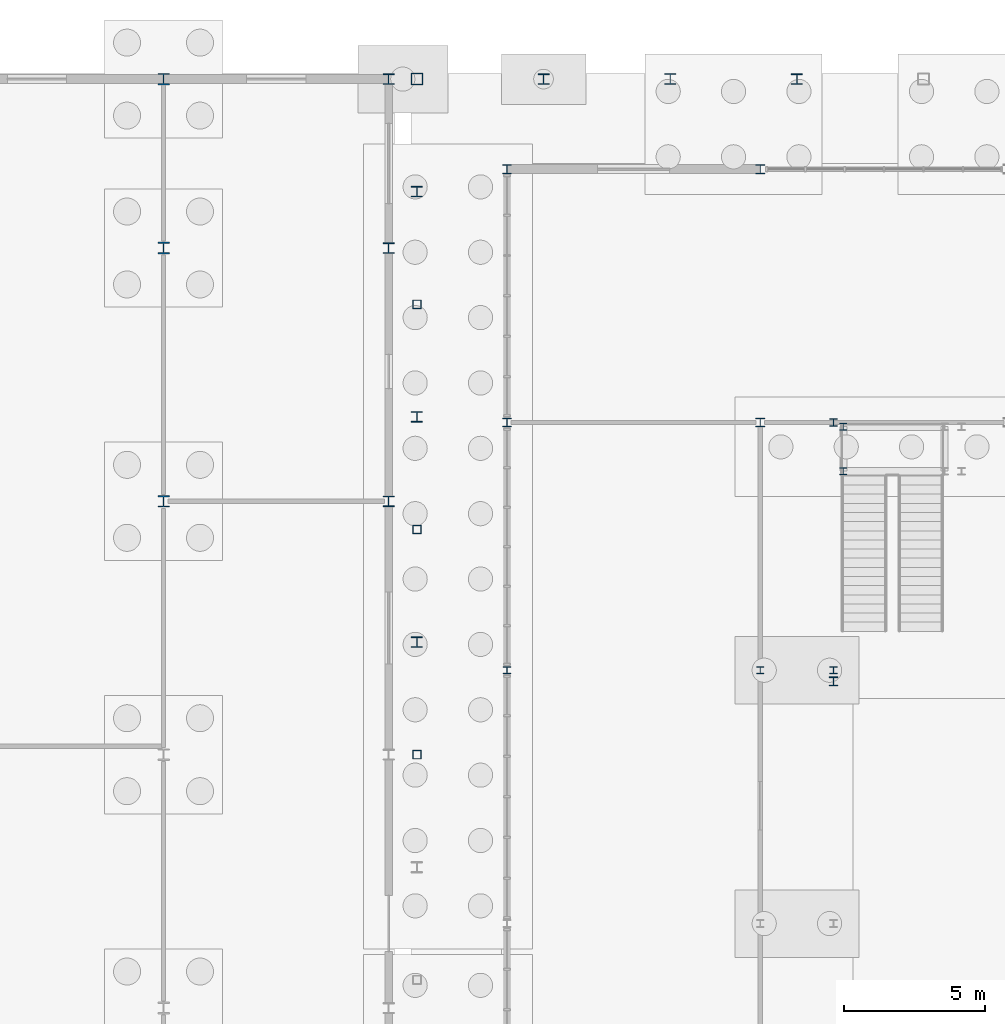
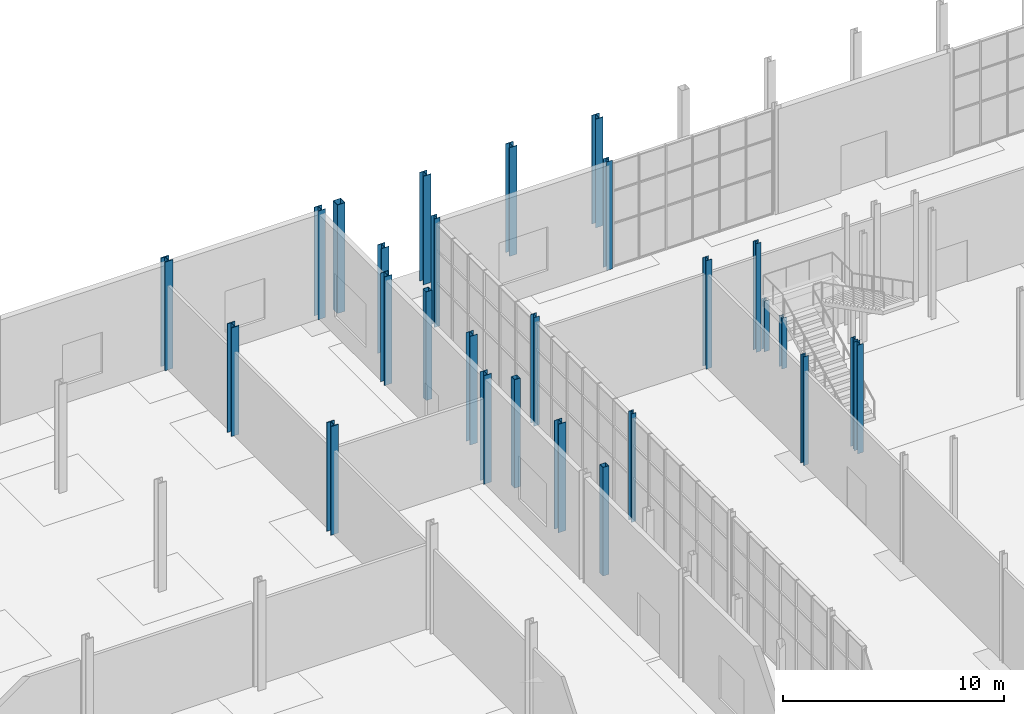
# One storey, part 20 of 131: 27 columns.
"""IFC4 building model written with IfcOpenShell, lengths in metres."""

from ifc_helpers import new_model, si_unit, direction, frame, origin, origin_2d, place, context, subcontext, project, spatial, hollow_rectangle, i_section, extrude, material, material_profile, profile_set, type_object, element, save


model = new_model("IFC4")

# Units and contexts
model_context = context("Model", 3, precision=1e-05, world=origin(), true_north=direction((0.0, 1.0)))
body_context = subcontext(model_context, "Body", "Model", "MODEL_VIEW")
ifc_project = project(units=[si_unit("LENGTHUNIT", "METRE"), si_unit("AREAUNIT", "SQUARE_METRE"), si_unit("VOLUMEUNIT", "CUBIC_METRE"), si_unit("PLANEANGLEUNIT", "RADIAN"), si_unit("MASSUNIT", "GRAM", prefix="KILO")], contexts=[model_context])

# Site, building, storey
site_placement = place(None, origin())
site = spatial("IfcSite", under=ifc_project, at=site_placement, CompositionType="ELEMENT")
building_placement = place(site_placement, origin())
building = spatial("IfcBuilding", under=site, at=building_placement, Name="Cazmaro Siding Exhibition Halls", CompositionType="ELEMENT")
storey_placement = place(building_placement, origin())
storey = spatial("IfcBuildingStorey", under=building, at=storey_placement, Name="L00", CompositionType="ELEMENT", Elevation=0.0)

# Columns
ifc_material_1 = material(Name="Steel ASTM A992 Grade 50", Category="steel")
ifc_material_profile_1 = material_profile(ifc_material_1, i_section(OverallWidth=0.406005859375, OverallDepth=0.416015625, WebThickness=0.030029296875, FlangeThickness=0.048095703125, at=origin_2d()), Name="W14X257")
ifc_profile_set_1 = profile_set([ifc_material_profile_1], Name="Steel ASTM A992 Grade 50")
column_type_1 = type_object("IfcColumnType", Name="C-01", PredefinedType="COLUMN", material=ifc_profile_set_1)
for number, where, z_axis, x_axis, name in (
    (1, (36.0, 109.0, 0.0), (0.0, 0.0, 1.0), (1.0, 0.0, 0.0), "Column C-01 COL-1065"),
    (2, (36.0, 118.0, 0.0), (0.0, 0.0, 1.0), (1.0, 0.0, 0.0), "Column C-01 COL-1069"),
    (3, (36.0, 124.0, 0.0), (0.0, 0.0, 1.0), (1.0, 0.0, 0.0), "Column C-01 COL-1072"),
):
    element("IfcColumn", number, at=place(storey_placement, frame(where, z_axis=z_axis, x_axis=x_axis)), inside=storey, type_object=column_type_1, Name=name, PredefinedType="COLUMN", context=body_context, shape_type="SweptSolid", body=[
        extrude(i_section(OverallWidth=0.406005859375, OverallDepth=0.416015625, WebThickness=0.030029296875, FlangeThickness=0.048095703125, at=origin_2d()), origin(), (0.0, 0.0, 1.0), 6.0),
    ])
ifc_material_2 = material(Name="Steel ASTM A992 Grade 50", Category="steel")
ifc_material_profile_2 = material_profile(ifc_material_2, i_section(OverallWidth=0.39208984375, OverallDepth=0.3759765625, WebThickness=0.01708984375, FlangeThickness=0.028076171875, at=origin_2d()), Name="W14X145")
ifc_profile_set_2 = profile_set([ifc_material_profile_2], Name="Steel ASTM A992 Grade 50")
column_type_2 = type_object("IfcColumnType", Name="C-03", PredefinedType="COLUMN", material=ifc_profile_set_2)
for number, where, z_axis, x_axis, name in (
    (4, (49.5, 124.0, 0.0), (0.0, 0.0, 1.0), (1.0, 0.0, 0.0), "Column C-03 COL-0010"),
    (5, (58.5, 124.0, 0.0), (0.0, 0.0, 1.0), (1.0, 0.0, 0.0), "Column C-03 COL-0022"),
    (6, (45.0, 104.0, 0.0), (0.0, 0.0, 1.0), (1.0, 0.0, 0.0), "Column C-03 COL-0202"),
    (7, (45.0, 112.0, 0.0), (0.0, 0.0, 1.0), (1.0, 0.0, 0.0), "Column C-03 COL-0208"),
    (8, (45.0, 120.0, 0.0), (0.0, 0.0, 1.0), (1.0, 0.0, 0.0), "Column C-03 COL-0214"),
    (9, (44.0, 109.0, 0.0), (0.0, 0.0, 1.0), (1.0, 0.0, 0.0), "Column C-03 COL-1087"),
    (10, (44.0, 118.0, 0.0), (0.0, 0.0, 1.0), (1.0, 0.0, 0.0), "Column C-03 COL-1089"),
    (11, (44.0, 124.0, 0.0), (0.0, 0.0, 1.0), (1.0, 0.0, 0.0), "Column C-03 COL-1091"),
):
    element("IfcColumn", number, at=place(storey_placement, frame(where, z_axis=z_axis, x_axis=x_axis)), inside=storey, type_object=column_type_2, Name=name, PredefinedType="COLUMN", context=body_context, shape_type="SweptSolid", body=[
        extrude(i_section(OverallWidth=0.39208984375, OverallDepth=0.3759765625, WebThickness=0.01708984375, FlangeThickness=0.028076171875, at=origin_2d()), origin(), (0.0, 0.0, 1.0), 6.0),
    ])
ifc_material_3 = material(Name="Steel ASTM A992 Grade 50", Category="steel")
ifc_material_profile_3 = material_profile(ifc_material_3, i_section(OverallWidth=0.304931640625, OverallDepth=0.306884765625, WebThickness=0.010009765625, FlangeThickness=0.014892578125, at=origin_2d()), Name="W12X65")
ifc_profile_set_3 = profile_set([ifc_material_profile_3], Name="Steel ASTM A992 Grade 50")
column_type_3 = type_object("IfcColumnType", Name="C-06", PredefinedType="COLUMN", material=ifc_profile_set_3)
for number, where, z_axis, x_axis, name in (
    (12, (48.199951171875, 111.800048828125, 0.0), (0.0, 0.0, 1.0), (1.0, 0.0, 0.0), "Column C-06 COL-0262"),
    (13, (48.199951171875, 120.800048828125, 0.0), (0.0, 0.0, 1.0), (1.0, 0.0, 0.0), "Column C-06 COL-0264"),
    (14, (57.199951171875, 111.800048828125, 0.0), (0.0, 0.0, 1.0), (1.0, 0.0, 0.0), "Column C-06 COL-0270"),
    (15, (57.199951171875, 120.800048828125, 0.0), (0.0, 0.0, 1.0), (1.0, 0.0, 0.0), "Column C-06 COL-0272"),
):
    element("IfcColumn", number, at=place(storey_placement, frame(where, z_axis=z_axis, x_axis=x_axis)), inside=storey, type_object=column_type_3, Name=name, PredefinedType="COLUMN", context=body_context, shape_type="SweptSolid", body=[
        extrude(i_section(OverallWidth=0.304931640625, OverallDepth=0.306884765625, WebThickness=0.010009765625, FlangeThickness=0.014892578125, at=origin_2d()), origin(), (0.0, 0.0, 1.0), 6.0),
    ])
ifc_material_4 = material(Name="Steel ASTM A992 Grade 50", Category="steel")
ifc_material_profile_4 = material_profile(ifc_material_4, i_section(OverallWidth=0.39892578125, OverallDepth=0.386962890625, WebThickness=0.02099609375, FlangeThickness=0.032958984375, at=origin_2d()), Name="W14X176")
ifc_profile_set_4 = profile_set([ifc_material_profile_4], Name="Steel ASTM A992 Grade 50")
column_type_4 = type_object("IfcColumnType", Name="C-11", PredefinedType="COLUMN", material=ifc_profile_set_4)
column_1_placement = place(storey_placement, frame((54.0, 124.0, 0.0), z_axis=(0.0, 0.0, 1.0), x_axis=(1.0, 0.0, 0.0)))
element("IfcColumn", 16, at=column_1_placement, inside=storey, type_object=column_type_4, Name="Column C-11 COL-0016", PredefinedType="COLUMN", context=body_context, shape_type="SweptSolid", body=[
    extrude(i_section(OverallWidth=0.39892578125, OverallDepth=0.386962890625, WebThickness=0.02099609375, FlangeThickness=0.032958984375, at=origin_2d()), origin(), (0.0, 0.0, 1.0), 6.0),
])
ifc_material_5 = material(Name="Steel ASTM A992 Grade 50", Category="steel")
ifc_material_profile_5 = material_profile(ifc_material_5, i_section(OverallWidth=0.30908203125, OverallDepth=0.320068359375, WebThickness=0.013916015625, FlangeThickness=0.02294921875, at=origin_2d()), Name="W12X96")
ifc_profile_set_5 = profile_set([ifc_material_profile_5], Name="Steel ASTM A992 Grade 50")
column_type_5 = type_object("IfcColumnType", Name="C-13", PredefinedType="COLUMN", material=ifc_profile_set_5)
column_2_placement = place(storey_placement, frame((59.800048828125, 102.60009765625, 0.0), z_axis=(0.0, 0.0, 1.0), x_axis=(1.0, 0.0, 0.0)))
element("IfcColumn", 17, at=column_2_placement, inside=storey, type_object=column_type_5, Name="Column C-13 COL-1197", PredefinedType="COLUMN", context=body_context, shape_type="SweptSolid", body=[
    extrude(i_section(OverallWidth=0.30908203125, OverallDepth=0.320068359375, WebThickness=0.013916015625, FlangeThickness=0.02294921875, at=origin_2d()), origin(), (0.0, 0.0, 1.0), 6.0),
])
ifc_material_6 = material(Name="Steel ASTM A992 Grade 50", Category="steel")
ifc_material_profile_6 = material_profile(ifc_material_6, i_section(OverallWidth=0.257080078125, OverallDepth=0.263916015625, WebThickness=0.011962890625, FlangeThickness=0.02001953125, at=origin_2d()), Name="W10X68")
ifc_profile_set_6 = profile_set([ifc_material_profile_6], Name="Steel ASTM A992 Grade 50")
column_type_6 = type_object("IfcColumnType", Name="C-14", PredefinedType="COLUMN", material=ifc_profile_set_6)
for number, where, z_axis, x_axis, name in (
    (18, (48.199951171875, 103.0, 0.0), (0.0, 0.0, 1.0), (1.0, 0.0, 0.0), "Column C-14 COL-0400"),
    (19, (57.199951171875, 103.0, 0.0), (0.0, 0.0, 1.0), (1.0, 0.0, 0.0), "Column C-14 COL-0410"),
    (20, (59.800048828125, 103.0, 0.0), (0.0, 0.0, 1.0), (1.0, 0.0, 0.0), "Column C-14 COL-0418"),
    (21, (59.800048828125, 111.800048828125, 0.0), (0.0, 0.0, 1.0), (1.0, 0.0, 0.0), "Column C-14 COL-0451"),
):
    element("IfcColumn", number, at=place(storey_placement, frame(where, z_axis=z_axis, x_axis=x_axis)), inside=storey, type_object=column_type_6, Name=name, PredefinedType="COLUMN", context=body_context, shape_type="SweptSolid", body=[
        extrude(i_section(OverallWidth=0.257080078125, OverallDepth=0.263916015625, WebThickness=0.011962890625, FlangeThickness=0.02001953125, at=origin_2d()), origin(), (0.0, 0.0, 1.0), 6.0),
    ])
for number, where, z_axis, x_axis, name in (
    (22, (60.14990234375, 110.070068359375, 0.0), (0.0, 0.0, 1.0), (1.0, 0.0, 0.0), "Column C-14 COL-1153"),
    (23, (60.14990234375, 111.64990234375, 0.0), (0.0, 0.0, 1.0), (1.0, 0.0, 0.0), "Column C-14 COL-1154"),
):
    element("IfcColumn", number, at=place(storey_placement, frame(where, z_axis=z_axis, x_axis=x_axis)), inside=storey, type_object=column_type_6, Name=name, PredefinedType="COLUMN", context=body_context, shape_type="SweptSolid", body=[
        extrude(i_section(OverallWidth=0.257080078125, OverallDepth=0.263916015625, WebThickness=0.011962890625, FlangeThickness=0.02001953125, at=origin_2d()), origin(), (0.0, 0.0, 1.0), 2.800048828125),
    ])
ifc_material_7 = material(Name="Steel ASTM A500 Grade C", Category="steel")
ifc_material_profile_7 = material_profile(ifc_material_7, hollow_rectangle(XDim=0.406005859375, YDim=0.406005859375, WallThickness=0.014892578125, at=origin_2d()), Name="HSS16X16X5/8")
ifc_profile_set_7 = profile_set([ifc_material_profile_7], Name="Steel ASTM A500 Grade C")
column_type_7 = type_object("IfcColumnType", Name="PL-01", PredefinedType="PILASTER", material=ifc_profile_set_7)
column_3_placement = place(storey_placement, frame((45.0, 124.0, 0.0), z_axis=(0.0, 0.0, 1.0), x_axis=(1.0, 0.0, 0.0)))
element("IfcColumn", 24, at=column_3_placement, inside=storey, type_object=column_type_7, Name="Column PL-01 COL-0004", PredefinedType="PILASTER", context=body_context, shape_type="SweptSolid", body=[
    extrude(hollow_rectangle(XDim=0.406005859375, YDim=0.406005859375, WallThickness=0.014892578125, at=origin_2d()), origin(), (0.0, 0.0, 1.0), 6.0),
])
ifc_material_8 = material(Name="Steel ASTM A500 Grade C", Category="steel")
ifc_material_profile_8 = material_profile(ifc_material_8, hollow_rectangle(XDim=0.304931640625, YDim=0.304931640625, WallThickness=0.014892578125, at=origin_2d()), Name="HSS12X12X5/8")
ifc_profile_set_8 = profile_set([ifc_material_profile_8], Name="Steel ASTM A500 Grade C")
column_type_8 = type_object("IfcColumnType", Name="PL-02", PredefinedType="PILASTER", material=ifc_profile_set_8)
for number, where, z_axis, x_axis, name in (
    (25, (45.0, 100.0, 0.0), (0.0, 0.0, 1.0), (1.0, 0.0, 0.0), "Column PL-02 COL-0199"),
    (26, (45.0, 108.0, 0.0), (0.0, 0.0, 1.0), (1.0, 0.0, 0.0), "Column PL-02 COL-0205"),
    (27, (45.0, 116.0, 0.0), (0.0, 0.0, 1.0), (1.0, 0.0, 0.0), "Column PL-02 COL-0211"),
):
    element("IfcColumn", number, at=place(storey_placement, frame(where, z_axis=z_axis, x_axis=x_axis)), inside=storey, type_object=column_type_8, Name=name, PredefinedType="PILASTER", context=body_context, shape_type="SweptSolid", body=[
        extrude(hollow_rectangle(XDim=0.304931640625, YDim=0.304931640625, WallThickness=0.014892578125, at=origin_2d()), origin(), (0.0, 0.0, 1.0), 6.0),
    ])

save(model, "model.ifc")
